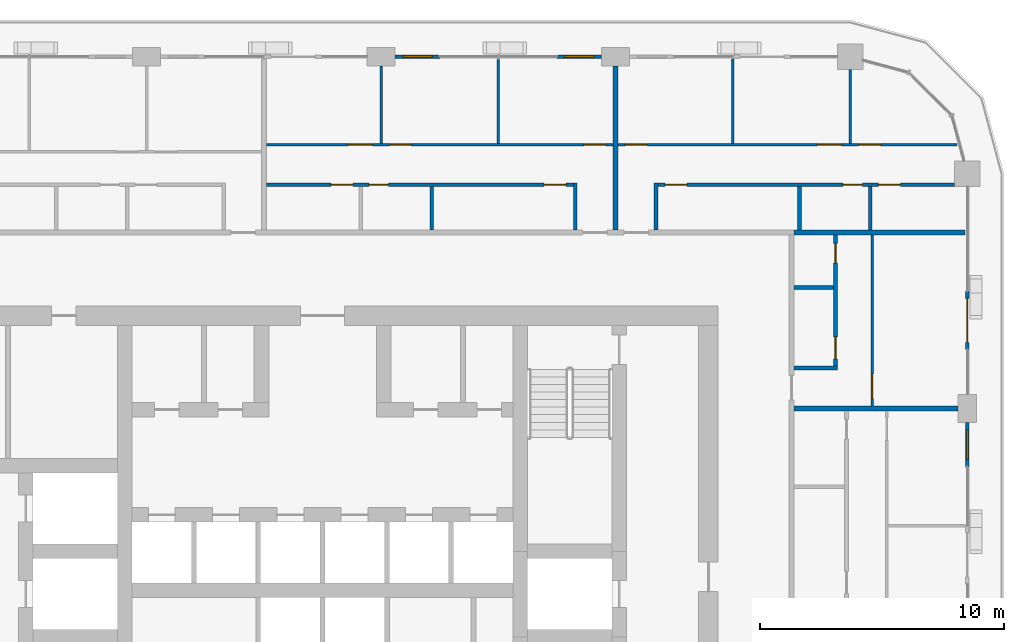
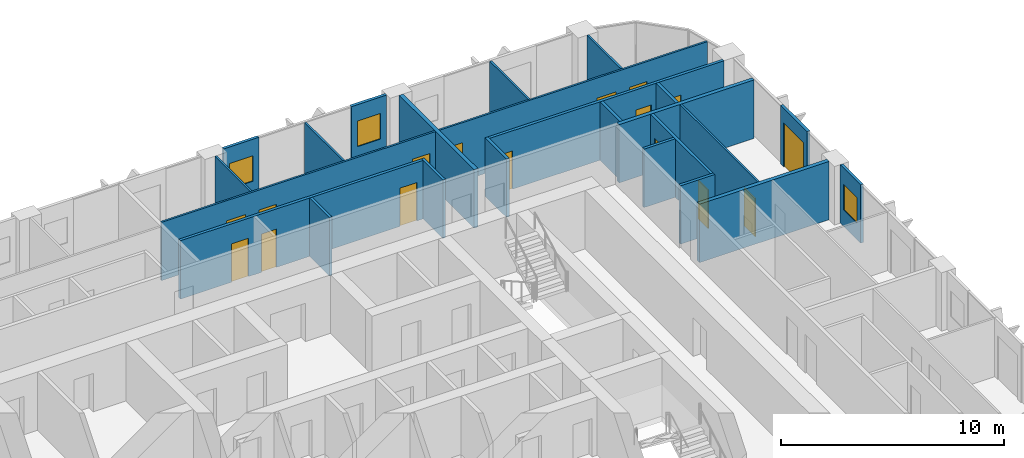
# One storey, part 15 of 22: 24 walls, 16 doors, 3 windows, 19 openings.
"""IFC4 building model written with IfcOpenShell, lengths in metres."""

from ifc_helpers import new_model, si_unit, direction, frame, frame_2d, origin, place, context, subcontext, project, spatial, rectangle, extrude, material, layer, layer_set, type_object, element, fill, save


model = new_model("IFC4")

# Units and contexts
model_context = context("Model", 3, precision=1e-05, world=origin(), true_north=direction((0.0, 1.0)))
body_context = subcontext(model_context, "Body", "Model", "MODEL_VIEW")
ifc_project = project(units=[si_unit("LENGTHUNIT", "METRE"), si_unit("AREAUNIT", "SQUARE_METRE"), si_unit("VOLUMEUNIT", "CUBIC_METRE"), si_unit("PLANEANGLEUNIT", "RADIAN"), si_unit("MASSUNIT", "GRAM", prefix="KILO")], contexts=[model_context])

# Site, building, storey
site_placement = place(None, origin())
site = spatial("IfcSite", under=ifc_project, at=site_placement, CompositionType="ELEMENT")
building_placement = place(site_placement, origin())
building = spatial("IfcBuilding", under=site, at=building_placement, Name="Madar Terraces", CompositionType="ELEMENT")
storey_placement = place(building_placement, frame((0.0, 0.0, 149.0)))
storey = spatial("IfcBuildingStorey", under=building, at=storey_placement, Name="L38", CompositionType="ELEMENT", Elevation=149.0)

# Wall, opening, window
ifc_material_1 = material(Name="Aluminium composite panel, black, over insulated backing", Category="aluminium")
ifc_layer_1 = layer(ifc_material_1, 0.14990234375)
ifc_layer_set_1 = layer_set([ifc_layer_1], Name="Facade bay panel 150")
wall_type_1 = type_object("IfcWallType", Name="Facade bay panel 150", PredefinedType="SOLIDWALL", material=ifc_layer_set_1)
wall_1_placement = place(storey_placement, frame((57.60009765625, 31.199951171875, 0.0), z_axis=(0.0, 0.0, 1.0), x_axis=(0.0, 1.0, 0.0)))
wall_1 = element("IfcWall", 1, at=wall_1_placement, inside=storey, type_object=wall_type_1, Name="Facade bay panel", PredefinedType="SOLIDWALL", context=body_context, shape_type="SweptSolid", body=[
    extrude(rectangle(XDim=1.824951171875, YDim=0.14990234375, at=frame_2d((0.91259765625, 0.0))), origin(), (0.0, 0.0, 1.0), 3.199951171875),
])
opening_1_placement = place(wall_1_placement, frame((0.3125, 0.0, 0.89990234375)))
opening_1 = element("IfcOpeningElement", 2, at=opening_1_placement, cuts=wall_1, Name="Opening W1", PredefinedType="OPENING", context=body_context, shape_type="SweptSolid", body=[
    extrude(rectangle(XDim=1.199951171875, YDim=1.39990234375, at=frame_2d((0.60009765625, 0.699951171875))), frame((0.0, 0.0849609375, 0.0), z_axis=(0.0, -1.0, 0.0), x_axis=(1.0, 0.0, 0.0)), (0.0, 0.0, 1.0), 0.169921875),
])
ifc_material_2 = material(Name="Glass, clear, with black aluminium frame", Category="aluminium")
window_type = type_object("IfcWindowType", Name="Vent window 1200 x 1400", PartitioningType="SINGLE_PANEL", PredefinedType="WINDOW", material=ifc_material_2)
window_1_placement = place(opening_1_placement, origin())
window_1 = element("IfcWindow", 3, at=window_1_placement, inside=storey, type_object=window_type, Name="Operable vent window", OverallHeight=1.39990234375, OverallWidth=1.199951171875, PartitioningType="SINGLE_PANEL", PredefinedType="WINDOW", context=body_context, shape_type="SweptSolid", body=[
    extrude(rectangle(XDim=1.199951171875, YDim=1.39990234375, at=frame_2d((0.60009765625, 0.699951171875))), frame((0.0, 0.030029296875, 0.0), z_axis=(0.0, -1.0, 0.0), x_axis=(1.0, 0.0, 0.0)), (0.0, 0.0, 1.0), 0.06005859375),
])
fill(opening_1, window_1)

# Wall, opening, door
wall_2_placement = place(storey_placement, frame((57.60009765625, 36.0, 0.0), z_axis=(0.0, 0.0, 1.0), x_axis=(0.0, 1.0, 0.0)))
wall_2 = element("IfcWall", 4, at=wall_2_placement, inside=storey, type_object=wall_type_1, Name="Facade bay panel", PredefinedType="SOLIDWALL", context=body_context, shape_type="SweptSolid", body=[
    extrude(rectangle(XDim=2.39990234375, YDim=0.14990234375, at=frame_2d((1.199951171875, 0.0))), origin(), (0.0, 0.0, 1.0), 3.199951171875),
])
opening_2_placement = place(wall_2_placement, frame((0.300048828125, 0.0, 0.0)))
opening_2 = element("IfcOpeningElement", 5, at=opening_2_placement, cuts=wall_2, Name="Opening ED1", PredefinedType="OPENING", context=body_context, shape_type="SweptSolid", body=[
    extrude(rectangle(XDim=1.800048828125, YDim=2.39990234375, at=frame_2d((0.89990234375, 1.199951171875))), frame((0.0, 0.0849609375, 0.0), z_axis=(0.0, -1.0, 0.0), x_axis=(1.0, 0.0, 0.0)), (0.0, 0.0, 1.0), 0.169921875),
])
ifc_material_3 = material(Name="Glass, clear, with black aluminium frame", Category="aluminium")
door_type_1 = type_object("IfcDoorType", Name="Balcony and terrace sliding door 1800 x 2400", OperationType="SLIDING_TO_LEFT", PredefinedType="DOOR", material=ifc_material_3)
door_1_placement = place(opening_2_placement, origin())
door_1 = element("IfcDoor", 6, at=door_1_placement, inside=storey, type_object=door_type_1, Name="Balcony door", OperationType="SLIDING_TO_LEFT", OverallHeight=2.39990234375, OverallWidth=1.800048828125, PredefinedType="DOOR", context=body_context, shape_type="SweptSolid", body=[
    extrude(rectangle(XDim=1.800048828125, YDim=2.39990234375, at=frame_2d((0.89990234375, 1.199951171875))), frame((0.0, 0.02490234375, 0.0), z_axis=(0.0, -1.0, 0.0), x_axis=(1.0, 0.0, 0.0)), (0.0, 0.0, 1.0), 0.050048828125),
])
fill(opening_2, door_1)

# Wall, opening, window
wall_3_placement = place(storey_placement, frame((42.625, 48.0, 0.0), z_axis=(0.0, 0.0, 1.0), x_axis=(-1.0, 0.0, 0.0)))
wall_3 = element("IfcWall", 7, at=wall_3_placement, inside=storey, type_object=wall_type_1, Name="Facade bay panel", PredefinedType="SOLIDWALL", context=body_context, shape_type="SweptSolid", body=[
    extrude(rectangle(XDim=1.824951171875, YDim=0.14990234375, at=frame_2d((0.91259765625, 0.0))), origin(), (0.0, 0.0, 1.0), 3.199951171875),
])
opening_3_placement = place(wall_3_placement, frame((0.3125, 0.0, 0.89990234375)))
opening_3 = element("IfcOpeningElement", 8, at=opening_3_placement, cuts=wall_3, Name="Opening W1", PredefinedType="OPENING", context=body_context, shape_type="SweptSolid", body=[
    extrude(rectangle(XDim=1.199951171875, YDim=1.39990234375, at=frame_2d((0.60009765625, 0.699951171875))), frame((0.0, 0.0849609375, 0.0), z_axis=(0.0, -1.0, 0.0), x_axis=(1.0, 0.0, 0.0)), (0.0, 0.0, 1.0), 0.169921875),
])
window_2_placement = place(opening_3_placement, origin())
window_2 = element("IfcWindow", 9, at=window_2_placement, inside=storey, type_object=window_type, Name="Operable vent window", OverallHeight=1.39990234375, OverallWidth=1.199951171875, PartitioningType="SINGLE_PANEL", PredefinedType="WINDOW", context=body_context, shape_type="SweptSolid", body=[
    extrude(rectangle(XDim=1.199951171875, YDim=1.39990234375, at=frame_2d((0.60009765625, 0.699951171875))), frame((0.0, 0.030029296875, 0.0), z_axis=(0.0, -1.0, 0.0), x_axis=(1.0, 0.0, 0.0)), (0.0, 0.0, 1.0), 0.06005859375),
])
fill(opening_3, window_2)

wall_4_placement = place(storey_placement, frame((36.0, 48.0, 0.0), z_axis=(0.0, 0.0, 1.0), x_axis=(-1.0, 0.0, 0.0)))
wall_4 = element("IfcWall", 10, at=wall_4_placement, inside=storey, type_object=wall_type_1, Name="Facade bay panel", PredefinedType="SOLIDWALL", context=body_context, shape_type="SweptSolid", body=[
    extrude(rectangle(XDim=1.824951171875, YDim=0.14990234375, at=frame_2d((0.91259765625, 0.0))), origin(), (0.0, 0.0, 1.0), 3.199951171875),
])
opening_4_placement = place(wall_4_placement, frame((0.3125, 0.0, 0.89990234375)))
opening_4 = element("IfcOpeningElement", 11, at=opening_4_placement, cuts=wall_4, Name="Opening W1", PredefinedType="OPENING", context=body_context, shape_type="SweptSolid", body=[
    extrude(rectangle(XDim=1.199951171875, YDim=1.39990234375, at=frame_2d((0.60009765625, 0.699951171875))), frame((0.0, 0.0849609375, 0.0), z_axis=(0.0, -1.0, 0.0), x_axis=(1.0, 0.0, 0.0)), (0.0, 0.0, 1.0), 0.169921875),
])
window_3_placement = place(opening_4_placement, origin())
window_3 = element("IfcWindow", 12, at=window_3_placement, inside=storey, type_object=window_type, Name="Operable vent window", OverallHeight=1.39990234375, OverallWidth=1.199951171875, PartitioningType="SINGLE_PANEL", PredefinedType="WINDOW", context=body_context, shape_type="SweptSolid", body=[
    extrude(rectangle(XDim=1.199951171875, YDim=1.39990234375, at=frame_2d((0.60009765625, 0.699951171875))), frame((0.0, 0.030029296875, 0.0), z_axis=(0.0, -1.0, 0.0), x_axis=(1.0, 0.0, 0.0)), (0.0, 0.0, 1.0), 0.06005859375),
])
fill(opening_4, window_3)

# Wall, opening, door
ifc_material_4 = material(Name="Gypsum board on steel studs", Category="steel")
ifc_layer_2 = layer(ifc_material_4, 0.10009765625)
ifc_layer_set_2 = layer_set([ifc_layer_2], Name="Flat partition 100")
wall_type_2 = type_object("IfcWallType", Name="Flat partition 100", PredefinedType="PARTITIONING", material=ifc_layer_set_2)
wall_5_placement = place(storey_placement, frame((53.699951171875, 40.699951171875, 0.0), z_axis=(0.0, 0.0, 1.0), x_axis=(0.0, -1.0, 0.0)))
wall_5 = element("IfcWall", 13, at=wall_5_placement, inside=storey, type_object=wall_type_2, Name="Flat partition 100", PredefinedType="PARTITIONING", context=body_context, shape_type="SweptSolid", body=[
    extrude(rectangle(XDim=7.0, YDim=0.10009765625, at=frame_2d((3.5, 0.0))), origin(), (0.0, 0.0, 1.0), 3.199951171875),
])
opening_5_placement = place(wall_5_placement, frame((5.699951171875, 0.0, 0.0)))
opening_5 = element("IfcOpeningElement", 14, at=opening_5_placement, cuts=wall_5, Name="Opening D3", PredefinedType="OPENING", context=body_context, shape_type="SweptSolid", body=[
    extrude(rectangle(XDim=1.0, YDim=2.10009765625, at=frame_2d((0.5, 1.050048828125))), frame((0.0, 0.06005859375, 0.0), z_axis=(0.0, -1.0, 0.0), x_axis=(1.0, 0.0, 0.0)), (0.0, 0.0, 1.0), 0.1201171875),
])
ifc_material_5 = material(Name="Timber door leaf", Category="wood")
door_type_2 = type_object("IfcDoorType", Name="Flat living room door 1000", OperationType="NOTDEFINED", PredefinedType="DOOR", material=ifc_material_5)
door_2_placement = place(opening_5_placement, origin())
door_2 = element("IfcDoor", 15, at=door_2_placement, inside=storey, type_object=door_type_2, Name="Flat living room door 1000", OperationType="SINGLE_SWING_RIGHT", OverallHeight=2.10009765625, OverallWidth=1.0, PredefinedType="DOOR", context=body_context, shape_type="SweptSolid", body=[
    extrude(rectangle(XDim=1.0, YDim=2.10009765625, at=frame_2d((0.5, 1.050048828125))), frame((0.0, 0.02490234375, 0.0), z_axis=(0.0, -1.0, 0.0), x_axis=(1.0, 0.0, 0.0)), (0.0, 0.0, 1.0), 0.050048828125),
])
fill(opening_5, door_2)

# Walls
wall_6_placement = place(storey_placement, frame((48.0, 44.449951171875, 0.0), z_axis=(0.0, 0.0, 1.0), x_axis=(0.0, 1.0, 0.0)))
element("IfcWall", 16, at=wall_6_placement, inside=storey, type_object=wall_type_2, Name="Flat partition 100", PredefinedType="PARTITIONING", context=body_context, shape_type="SweptSolid", body=[
    extrude(rectangle(XDim=3.449951171875, YDim=0.10009765625, at=frame_2d((1.72509765625, 0.0))), origin(), (0.0, 0.0, 1.0), 3.199951171875),
])
wall_7_placement = place(storey_placement, frame((52.800048828125, 44.449951171875, 0.0), z_axis=(0.0, 0.0, 1.0), x_axis=(0.0, 1.0, 0.0)))
element("IfcWall", 17, at=wall_7_placement, inside=storey, type_object=wall_type_2, Name="Flat partition 100", PredefinedType="PARTITIONING", context=body_context, shape_type="SweptSolid", body=[
    extrude(rectangle(XDim=3.025146484375, YDim=0.10009765625, at=frame_2d((1.5126953125, 0.0))), origin(), (0.0, 0.0, 1.0), 3.199951171875),
])

# Wall, openings, doors
wall_8_placement = place(storey_placement, frame((43.300048828125, 44.39990234375, 0.0), z_axis=(0.0, 0.0, 1.0), x_axis=(1.0, 0.0, 0.0)))
wall_8 = element("IfcWall", 18, at=wall_8_placement, inside=storey, type_object=wall_type_2, Name="Flat partition 100", PredefinedType="PARTITIONING", context=body_context, shape_type="SweptSolid", body=[
    extrude(rectangle(XDim=13.87841796875, YDim=0.10009765625, at=frame_2d((6.939208984375, 0.0))), origin(), (0.0, 0.0, 1.0), 3.199951171875),
])
opening_6_placement = place(wall_8_placement, frame((0.300048828125, 0.0, 0.0)))
opening_6 = element("IfcOpeningElement", 19, at=opening_6_placement, cuts=wall_8, Name="Opening D2", PredefinedType="OPENING", context=body_context, shape_type="SweptSolid", body=[
    extrude(rectangle(XDim=0.89990234375, YDim=2.10009765625, at=frame_2d((0.449951171875, 1.050048828125))), frame((0.0, 0.06005859375, 0.0), z_axis=(0.0, -1.0, 0.0), x_axis=(1.0, 0.0, 0.0)), (0.0, 0.0, 1.0), 0.1201171875),
])
opening_7_placement = place(wall_8_placement, frame((8.14990234375, 0.0, 0.0)))
opening_7 = element("IfcOpeningElement", 20, at=opening_7_placement, cuts=wall_8, Name="Opening D3", PredefinedType="OPENING", context=body_context, shape_type="SweptSolid", body=[
    extrude(rectangle(XDim=1.0, YDim=2.10009765625, at=frame_2d((0.5, 1.050048828125))), frame((0.0, 0.06005859375, 0.0), z_axis=(0.0, -1.0, 0.0), x_axis=(1.0, 0.0, 0.0)), (0.0, 0.0, 1.0), 0.1201171875),
])
opening_8_placement = place(wall_8_placement, frame((9.85009765625, 0.0, 0.0)))
opening_8 = element("IfcOpeningElement", 21, at=opening_8_placement, cuts=wall_8, Name="Opening D2", PredefinedType="OPENING", context=body_context, shape_type="SweptSolid", body=[
    extrude(rectangle(XDim=0.89990234375, YDim=2.10009765625, at=frame_2d((0.449951171875, 1.050048828125))), frame((0.0, 0.06005859375, 0.0), z_axis=(0.0, -1.0, 0.0), x_axis=(1.0, 0.0, 0.0)), (0.0, 0.0, 1.0), 0.1201171875),
])
door_3_placement = place(opening_7_placement, origin())
door_3 = element("IfcDoor", 22, at=door_3_placement, inside=storey, type_object=door_type_2, Name="Flat living room door 1000", OperationType="SINGLE_SWING_RIGHT", OverallHeight=2.10009765625, OverallWidth=1.0, PredefinedType="DOOR", context=body_context, shape_type="SweptSolid", body=[
    extrude(rectangle(XDim=1.0, YDim=2.10009765625, at=frame_2d((0.5, 1.050048828125))), frame((0.0, 0.02490234375, 0.0), z_axis=(0.0, -1.0, 0.0), x_axis=(1.0, 0.0, 0.0)), (0.0, 0.0, 1.0), 0.050048828125),
])
fill(opening_7, door_3)
ifc_material_6 = material(Name="Timber door leaf", Category="wood")
door_type_3 = type_object("IfcDoorType", Name="Flat room door 900", OperationType="NOTDEFINED", PredefinedType="DOOR", material=ifc_material_6)
door_4_placement = place(opening_6_placement, origin())
door_4 = element("IfcDoor", 23, at=door_4_placement, inside=storey, type_object=door_type_3, Name="Flat room door 900", OperationType="SINGLE_SWING_LEFT", OverallHeight=2.10009765625, OverallWidth=0.89990234375, PredefinedType="DOOR", context=body_context, shape_type="SweptSolid", body=[
    extrude(rectangle(XDim=0.89990234375, YDim=2.10009765625, at=frame_2d((0.449951171875, 1.050048828125))), frame((0.0, 0.02490234375, 0.0), z_axis=(0.0, -1.0, 0.0), x_axis=(1.0, 0.0, 0.0)), (0.0, 0.0, 1.0), 0.050048828125),
])
fill(opening_6, door_4)
door_5_placement = place(opening_8_placement, origin())
door_5 = element("IfcDoor", 24, at=door_5_placement, inside=storey, type_object=door_type_3, Name="Flat room door 900", OperationType="SINGLE_SWING_LEFT", OverallHeight=2.10009765625, OverallWidth=0.89990234375, PredefinedType="DOOR", context=body_context, shape_type="SweptSolid", body=[
    extrude(rectangle(XDim=0.89990234375, YDim=2.10009765625, at=frame_2d((0.449951171875, 1.050048828125))), frame((0.0, 0.02490234375, 0.0), z_axis=(0.0, -1.0, 0.0), x_axis=(1.0, 0.0, 0.0)), (0.0, 0.0, 1.0), 0.050048828125),
])
fill(opening_8, door_5)

# Walls
wall_9_placement = place(storey_placement, frame((38.39990234375, 44.449951171875, 0.0), z_axis=(0.0, 0.0, 1.0), x_axis=(0.0, 1.0, 0.0)))
element("IfcWall", 25, at=wall_9_placement, inside=storey, type_object=wall_type_2, Name="Flat partition 100", PredefinedType="PARTITIONING", context=body_context, shape_type="SweptSolid", body=[
    extrude(rectangle(XDim=3.449951171875, YDim=0.10009765625, at=frame_2d((1.72509765625, 0.0))), origin(), (0.0, 0.0, 1.0), 3.199951171875),
])
wall_10_placement = place(storey_placement, frame((33.60009765625, 44.449951171875, 0.0), z_axis=(0.0, 0.0, 1.0), x_axis=(0.0, 1.0, 0.0)))
element("IfcWall", 26, at=wall_10_placement, inside=storey, type_object=wall_type_2, Name="Flat partition 100", PredefinedType="PARTITIONING", context=body_context, shape_type="SweptSolid", body=[
    extrude(rectangle(XDim=3.175048828125, YDim=0.10009765625, at=frame_2d((1.58740234375, 0.0))), origin(), (0.0, 0.0, 1.0), 3.199951171875),
])

# Wall, openings, doors
wall_11_placement = place(storey_placement, frame((28.89990234375, 44.39990234375, 0.0), z_axis=(0.0, 0.0, 1.0), x_axis=(1.0, 0.0, 0.0)))
wall_11 = element("IfcWall", 27, at=wall_11_placement, inside=storey, type_object=wall_type_2, Name="Flat partition 100", PredefinedType="PARTITIONING", context=body_context, shape_type="SweptSolid", body=[
    extrude(rectangle(XDim=14.2001953125, YDim=0.10009765625, at=frame_2d((7.10009765625, 0.0))), origin(), (0.0, 0.0, 1.0), 3.199951171875),
])
opening_9_placement = place(wall_11_placement, frame((13.0, 0.0, 0.0)))
opening_9 = element("IfcOpeningElement", 28, at=opening_9_placement, cuts=wall_11, Name="Opening D2", PredefinedType="OPENING", context=body_context, shape_type="SweptSolid", body=[
    extrude(rectangle(XDim=0.89990234375, YDim=2.10009765625, at=frame_2d((0.449951171875, 1.050048828125))), frame((0.0, 0.06005859375, 0.0), z_axis=(0.0, -1.0, 0.0), x_axis=(1.0, 0.0, 0.0)), (0.0, 0.0, 1.0), 0.1201171875),
])
opening_10_placement = place(wall_11_placement, frame((5.050048828125, 0.0, 0.0)))
opening_10 = element("IfcOpeningElement", 29, at=opening_10_placement, cuts=wall_11, Name="Opening D2", PredefinedType="OPENING", context=body_context, shape_type="SweptSolid", body=[
    extrude(rectangle(XDim=0.89990234375, YDim=2.10009765625, at=frame_2d((0.449951171875, 1.050048828125))), frame((0.0, 0.06005859375, 0.0), z_axis=(0.0, -1.0, 0.0), x_axis=(1.0, 0.0, 0.0)), (0.0, 0.0, 1.0), 0.1201171875),
])
opening_11_placement = place(wall_11_placement, frame((3.35009765625, 0.0, 0.0)))
opening_11 = element("IfcOpeningElement", 30, at=opening_11_placement, cuts=wall_11, Name="Opening D3", PredefinedType="OPENING", context=body_context, shape_type="SweptSolid", body=[
    extrude(rectangle(XDim=1.0, YDim=2.10009765625, at=frame_2d((0.5, 1.050048828125))), frame((0.0, 0.06005859375, 0.0), z_axis=(0.0, -1.0, 0.0), x_axis=(1.0, 0.0, 0.0)), (0.0, 0.0, 1.0), 0.1201171875),
])
door_6_placement = place(opening_11_placement, origin())
door_6 = element("IfcDoor", 31, at=door_6_placement, inside=storey, type_object=door_type_2, Name="Flat living room door 1000", OperationType="SINGLE_SWING_RIGHT", OverallHeight=2.10009765625, OverallWidth=1.0, PredefinedType="DOOR", context=body_context, shape_type="SweptSolid", body=[
    extrude(rectangle(XDim=1.0, YDim=2.10009765625, at=frame_2d((0.5, 1.050048828125))), frame((0.0, 0.02490234375, 0.0), z_axis=(0.0, -1.0, 0.0), x_axis=(1.0, 0.0, 0.0)), (0.0, 0.0, 1.0), 0.050048828125),
])
fill(opening_11, door_6)
door_7_placement = place(opening_9_placement, origin())
door_7 = element("IfcDoor", 32, at=door_7_placement, inside=storey, type_object=door_type_3, Name="Flat room door 900", OperationType="SINGLE_SWING_RIGHT", OverallHeight=2.10009765625, OverallWidth=0.89990234375, PredefinedType="DOOR", context=body_context, shape_type="SweptSolid", body=[
    extrude(rectangle(XDim=0.89990234375, YDim=2.10009765625, at=frame_2d((0.449951171875, 1.050048828125))), frame((0.0, 0.02490234375, 0.0), z_axis=(0.0, -1.0, 0.0), x_axis=(1.0, 0.0, 0.0)), (0.0, 0.0, 1.0), 0.050048828125),
])
fill(opening_9, door_7)
door_8_placement = place(opening_10_placement, origin())
door_8 = element("IfcDoor", 33, at=door_8_placement, inside=storey, type_object=door_type_3, Name="Flat room door 900", OperationType="SINGLE_SWING_LEFT", OverallHeight=2.10009765625, OverallWidth=0.89990234375, PredefinedType="DOOR", context=body_context, shape_type="SweptSolid", body=[
    extrude(rectangle(XDim=0.89990234375, YDim=2.10009765625, at=frame_2d((0.449951171875, 1.050048828125))), frame((0.0, 0.02490234375, 0.0), z_axis=(0.0, -1.0, 0.0), x_axis=(1.0, 0.0, 0.0)), (0.0, 0.0, 1.0), 0.050048828125),
])
fill(opening_10, door_8)

# Walls
ifc_material_7 = material(Name="Lightweight blockwork", Category="masonry")
ifc_layer_3 = layer(ifc_material_7, 0.199951171875)
ifc_layer_set_3 = layer_set([ifc_layer_3], Name="Flat party and entrance wall 200")
wall_type_3 = type_object("IfcWallType", Name="Flat party and entrance wall 200", PredefinedType="PARTITIONING", material=ifc_layer_set_3)
wall_12_placement = place(storey_placement, frame((50.5, 33.60009765625, 0.0), z_axis=(0.0, 0.0, 1.0), x_axis=(1.0, 0.0, 0.0)))
element("IfcWall", 34, at=wall_12_placement, inside=storey, type_object=wall_type_3, Name="Flat party and entrance wall 200", PredefinedType="PARTITIONING", context=body_context, shape_type="SweptSolid", body=[
    extrude(rectangle(XDim=6.72509765625, YDim=0.199951171875, at=frame_2d((3.362548828125, 0.0))), origin(), (0.0, 0.0, 1.0), 3.199951171875),
])
wall_13_placement = place(storey_placement, frame((50.5, 40.800048828125, 0.0), z_axis=(0.0, 0.0, 1.0), x_axis=(1.0, 0.0, 0.0)))
element("IfcWall", 35, at=wall_13_placement, inside=storey, type_object=wall_type_3, Name="Flat party and entrance wall 200", PredefinedType="PARTITIONING", context=body_context, shape_type="SweptSolid", body=[
    extrude(rectangle(XDim=7.0, YDim=0.199951171875, at=frame_2d((3.5, 0.0))), origin(), (0.0, 0.0, 1.0), 3.199951171875),
])
wall_14_placement = place(storey_placement, frame((43.199951171875, 47.625, 0.0), z_axis=(0.0, 0.0, 1.0), x_axis=(0.0, -1.0, 0.0)))
element("IfcWall", 36, at=wall_14_placement, inside=storey, type_object=wall_type_3, Name="Flat party and entrance wall 200", PredefinedType="PARTITIONING", context=body_context, shape_type="SweptSolid", body=[
    extrude(rectangle(XDim=6.72509765625, YDim=0.199951171875, at=frame_2d((3.362548828125, 0.0))), origin(), (0.0, 0.0, 1.0), 3.199951171875),
])
ifc_material_8 = material(Name="Lightweight blockwork", Category="masonry")
ifc_layer_4 = layer(ifc_material_8, 0.14990234375)
ifc_layer_set_4 = layer_set([ifc_layer_4], Name="Flat wet-room partition 150")
wall_type_4 = type_object("IfcWallType", Name="Flat wet-room partition 150", PredefinedType="PARTITIONING", material=ifc_layer_set_4)
wall_15_placement = place(storey_placement, frame((50.5, 38.550048828125, 0.0), z_axis=(0.0, 0.0, 1.0), x_axis=(1.0, 0.0, 0.0)))
element("IfcWall", 37, at=wall_15_placement, inside=storey, type_object=wall_type_4, Name="Flat wet-room partition 150", PredefinedType="PARTITIONING", context=body_context, shape_type="SweptSolid", body=[
    extrude(rectangle(XDim=1.625, YDim=0.14990234375, at=frame_2d((0.8125, 0.0))), origin(), (0.0, 0.0, 1.0), 3.199951171875),
])
wall_16_placement = place(storey_placement, frame((50.5, 35.25, 0.0), z_axis=(0.0, 0.0, 1.0), x_axis=(1.0, 0.0, 0.0)))
element("IfcWall", 38, at=wall_16_placement, inside=storey, type_object=wall_type_4, Name="Flat wet-room partition 150", PredefinedType="PARTITIONING", context=body_context, shape_type="SweptSolid", body=[
    extrude(rectangle(XDim=1.77490234375, YDim=0.14990234375, at=frame_2d((0.887451171875, 0.0))), origin(), (0.0, 0.0, 1.0), 3.199951171875),
])

# Wall, openings, doors
wall_17_placement = place(storey_placement, frame((52.199951171875, 35.324951171875, 0.0), z_axis=(0.0, 0.0, 1.0), x_axis=(0.0, 1.0, 0.0)))
wall_17 = element("IfcWall", 39, at=wall_17_placement, inside=storey, type_object=wall_type_4, Name="Flat wet-room partition 150", PredefinedType="PARTITIONING", context=body_context, shape_type="SweptSolid", body=[
    extrude(rectangle(XDim=5.375, YDim=0.14990234375, at=frame_2d((2.6875, 0.0))), origin(), (0.0, 0.0, 1.0), 3.199951171875),
])
opening_12_placement = place(wall_17_placement, frame((0.300048828125, 0.0, 0.0)))
opening_12 = element("IfcOpeningElement", 40, at=opening_12_placement, cuts=wall_17, Name="Opening D2", PredefinedType="OPENING", context=body_context, shape_type="SweptSolid", body=[
    extrude(rectangle(XDim=0.89990234375, YDim=2.10009765625, at=frame_2d((0.449951171875, 1.050048828125))), frame((0.0, 0.0849609375, 0.0), z_axis=(0.0, -1.0, 0.0), x_axis=(1.0, 0.0, 0.0)), (0.0, 0.0, 1.0), 0.169921875),
])
opening_13_placement = place(wall_17_placement, frame((4.22509765625, 0.0, 0.0)))
opening_13 = element("IfcOpeningElement", 41, at=opening_13_placement, cuts=wall_17, Name="Opening D4", PredefinedType="OPENING", context=body_context, shape_type="SweptSolid", body=[
    extrude(rectangle(XDim=0.800048828125, YDim=2.10009765625, at=frame_2d((0.39990234375, 1.050048828125))), frame((0.0, 0.0849609375, 0.0), z_axis=(0.0, -1.0, 0.0), x_axis=(1.0, 0.0, 0.0)), (0.0, 0.0, 1.0), 0.169921875),
])
ifc_material_9 = material(Name="Timber door leaf", Category="wood")
door_type_4 = type_object("IfcDoorType", Name="Flat bathroom door 800", OperationType="NOTDEFINED", PredefinedType="DOOR", material=ifc_material_9)
door_9_placement = place(opening_13_placement, origin())
door_9 = element("IfcDoor", 42, at=door_9_placement, inside=storey, type_object=door_type_4, Name="Flat bathroom door 800", OperationType="SINGLE_SWING_RIGHT", OverallHeight=2.10009765625, OverallWidth=0.800048828125, PredefinedType="DOOR", context=body_context, shape_type="SweptSolid", body=[
    extrude(rectangle(XDim=0.800048828125, YDim=2.10009765625, at=frame_2d((0.39990234375, 1.050048828125))), frame((0.0, 0.02490234375, 0.0), z_axis=(0.0, -1.0, 0.0), x_axis=(1.0, 0.0, 0.0)), (0.0, 0.0, 1.0), 0.050048828125),
])
fill(opening_13, door_9)
door_10_placement = place(opening_12_placement, origin())
door_10 = element("IfcDoor", 43, at=door_10_placement, inside=storey, type_object=door_type_3, Name="Flat room door 900", OperationType="SINGLE_SWING_LEFT", OverallHeight=2.10009765625, OverallWidth=0.89990234375, PredefinedType="DOOR", context=body_context, shape_type="SweptSolid", body=[
    extrude(rectangle(XDim=0.89990234375, YDim=2.10009765625, at=frame_2d((0.449951171875, 1.050048828125))), frame((0.0, 0.02490234375, 0.0), z_axis=(0.0, -1.0, 0.0), x_axis=(1.0, 0.0, 0.0)), (0.0, 0.0, 1.0), 0.050048828125),
])
fill(opening_12, door_10)

# Walls
for number, where, z_axis, x_axis, name in (
    (44, (50.728759765625, 40.89990234375, 0.0), (0.0, 0.0, 1.0), (0.0, 1.0, 0.0), "Flat wet-room partition 150"),
    (45, (53.630615234375, 40.89990234375, 0.0), (0.0, 0.0, 1.0), (0.0, 1.0, 0.0), "Flat wet-room partition 150"),
):
    element("IfcWall", number, at=place(storey_placement, frame(where, z_axis=z_axis, x_axis=x_axis)), inside=storey, type_object=wall_type_4, Name=name, PredefinedType="PARTITIONING", context=body_context, shape_type="SweptSolid", body=[
        extrude(rectangle(XDim=1.775146484375, YDim=0.14990234375, at=frame_2d((0.8876953125, 0.0))), origin(), (0.0, 0.0, 1.0), 3.199951171875),
    ])
wall_18_placement = place(storey_placement, frame((44.85009765625, 40.89990234375, 0.0), z_axis=(0.0, 0.0, 1.0), x_axis=(0.0, 1.0, 0.0)))
element("IfcWall", 46, at=wall_18_placement, inside=storey, type_object=wall_type_4, Name="Flat wet-room partition 150", PredefinedType="PARTITIONING", context=body_context, shape_type="SweptSolid", body=[
    extrude(rectangle(XDim=1.925048828125, YDim=0.14990234375, at=frame_2d((0.96240234375, 0.0))), origin(), (0.0, 0.0, 1.0), 3.199951171875),
])

# Wall, openings, doors
wall_19_placement = place(storey_placement, frame((57.074951171875, 42.75, 0.0), z_axis=(0.0, 0.0, 1.0), x_axis=(-1.0, 0.0, 0.0)))
wall_19 = element("IfcWall", 47, at=wall_19_placement, inside=storey, type_object=wall_type_4, Name="Flat wet-room partition 150", PredefinedType="PARTITIONING", context=body_context, shape_type="SweptSolid", body=[
    extrude(rectangle(XDim=12.14990234375, YDim=0.14990234375, at=frame_2d((6.074951171875, 0.0))), origin(), (0.0, 0.0, 1.0), 3.199951171875),
])
opening_14_placement = place(wall_19_placement, frame((10.949951171875, 0.0, 0.0)))
opening_14 = element("IfcOpeningElement", 48, at=opening_14_placement, cuts=wall_19, Name="Opening D2", PredefinedType="OPENING", context=body_context, shape_type="SweptSolid", body=[
    extrude(rectangle(XDim=0.89990234375, YDim=2.10009765625, at=frame_2d((0.449951171875, 1.050048828125))), frame((0.0, 0.0849609375, 0.0), z_axis=(0.0, -1.0, 0.0), x_axis=(1.0, 0.0, 0.0)), (0.0, 0.0, 1.0), 0.169921875),
])
opening_15_placement = place(wall_19_placement, frame((3.769287109375, 0.0, 0.0)))
opening_15 = element("IfcOpeningElement", 49, at=opening_15_placement, cuts=wall_19, Name="Opening D4", PredefinedType="OPENING", context=body_context, shape_type="SweptSolid", body=[
    extrude(rectangle(XDim=0.800048828125, YDim=2.10009765625, at=frame_2d((0.39990234375, 1.050048828125))), frame((0.0, 0.0849609375, 0.0), z_axis=(0.0, -1.0, 0.0), x_axis=(1.0, 0.0, 0.0)), (0.0, 0.0, 1.0), 0.169921875),
])
opening_16_placement = place(wall_19_placement, frame((2.21923828125, 0.0, 0.0)))
opening_16 = element("IfcOpeningElement", 50, at=opening_16_placement, cuts=wall_19, Name="Opening D5", PredefinedType="OPENING", context=body_context, shape_type="SweptSolid", body=[
    extrude(rectangle(XDim=0.89990234375, YDim=2.10009765625, at=frame_2d((0.449951171875, 1.050048828125))), frame((0.0, 0.0849609375, 0.0), z_axis=(0.0, -1.0, 0.0), x_axis=(1.0, 0.0, 0.0)), (0.0, 0.0, 1.0), 0.169921875),
])
ifc_material_10 = material(Name="Timber door leaf", Category="wood")
door_type_5 = type_object("IfcDoorType", Name="Flat accessible bathroom door 900", OperationType="NOTDEFINED", PredefinedType="DOOR", material=ifc_material_10)
door_11_placement = place(opening_16_placement, origin())
door_11 = element("IfcDoor", 51, at=door_11_placement, inside=storey, type_object=door_type_5, Name="Flat accessible bathroom door 900", OperationType="SINGLE_SWING_RIGHT", OverallHeight=2.10009765625, OverallWidth=0.89990234375, PredefinedType="DOOR", context=body_context, shape_type="SweptSolid", body=[
    extrude(rectangle(XDim=0.89990234375, YDim=2.10009765625, at=frame_2d((0.449951171875, 1.050048828125))), frame((0.0, 0.02490234375, 0.0), z_axis=(0.0, -1.0, 0.0), x_axis=(1.0, 0.0, 0.0)), (0.0, 0.0, 1.0), 0.050048828125),
])
fill(opening_16, door_11)
door_12_placement = place(opening_15_placement, origin())
door_12 = element("IfcDoor", 52, at=door_12_placement, inside=storey, type_object=door_type_4, Name="Flat bathroom door 800", OperationType="SINGLE_SWING_LEFT", OverallHeight=2.10009765625, OverallWidth=0.800048828125, PredefinedType="DOOR", context=body_context, shape_type="SweptSolid", body=[
    extrude(rectangle(XDim=0.800048828125, YDim=2.10009765625, at=frame_2d((0.39990234375, 1.050048828125))), frame((0.0, 0.02490234375, 0.0), z_axis=(0.0, -1.0, 0.0), x_axis=(1.0, 0.0, 0.0)), (0.0, 0.0, 1.0), 0.050048828125),
])
fill(opening_15, door_12)
door_13_placement = place(opening_14_placement, origin())
door_13 = element("IfcDoor", 53, at=door_13_placement, inside=storey, type_object=door_type_3, Name="Flat room door 900", OperationType="SINGLE_SWING_RIGHT", OverallHeight=2.10009765625, OverallWidth=0.89990234375, PredefinedType="DOOR", context=body_context, shape_type="SweptSolid", body=[
    extrude(rectangle(XDim=0.89990234375, YDim=2.10009765625, at=frame_2d((0.449951171875, 1.050048828125))), frame((0.0, 0.02490234375, 0.0), z_axis=(0.0, -1.0, 0.0), x_axis=(1.0, 0.0, 0.0)), (0.0, 0.0, 1.0), 0.050048828125),
])
fill(opening_14, door_13)

# Walls
wall_20_placement = place(storey_placement, frame((35.671142578125, 40.89990234375, 0.0), z_axis=(0.0, 0.0, 1.0), x_axis=(0.0, 1.0, 0.0)))
element("IfcWall", 54, at=wall_20_placement, inside=storey, type_object=wall_type_4, Name="Flat wet-room partition 150", PredefinedType="PARTITIONING", context=body_context, shape_type="SweptSolid", body=[
    extrude(rectangle(XDim=1.775146484375, YDim=0.14990234375, at=frame_2d((0.8876953125, 0.0))), origin(), (0.0, 0.0, 1.0), 3.199951171875),
])
wall_21_placement = place(storey_placement, frame((41.550048828125, 40.89990234375, 0.0), z_axis=(0.0, 0.0, 1.0), x_axis=(0.0, 1.0, 0.0)))
element("IfcWall", 55, at=wall_21_placement, inside=storey, type_object=wall_type_4, Name="Flat wet-room partition 150", PredefinedType="PARTITIONING", context=body_context, shape_type="SweptSolid", body=[
    extrude(rectangle(XDim=1.925048828125, YDim=0.14990234375, at=frame_2d((0.96240234375, 0.0))), origin(), (0.0, 0.0, 1.0), 3.199951171875),
])

# Wall, openings, doors
wall_22_placement = place(storey_placement, frame((41.47509765625, 42.75, 0.0), z_axis=(0.0, 0.0, 1.0), x_axis=(-1.0, 0.0, 0.0)))
wall_22 = element("IfcWall", 56, at=wall_22_placement, inside=storey, type_object=wall_type_4, Name="Flat wet-room partition 150", PredefinedType="PARTITIONING", context=body_context, shape_type="SweptSolid", body=[
    extrude(rectangle(XDim=12.5751953125, YDim=0.14990234375, at=frame_2d((6.28759765625, 0.0))), origin(), (0.0, 0.0, 1.0), 3.199951171875),
])
opening_17_placement = place(wall_22_placement, frame((0.300048828125, 0.0, 0.0)))
opening_17 = element("IfcOpeningElement", 57, at=opening_17_placement, cuts=wall_22, Name="Opening D2", PredefinedType="OPENING", context=body_context, shape_type="SweptSolid", body=[
    extrude(rectangle(XDim=0.89990234375, YDim=2.10009765625, at=frame_2d((0.449951171875, 1.050048828125))), frame((0.0, 0.0849609375, 0.0), z_axis=(0.0, -1.0, 0.0), x_axis=(1.0, 0.0, 0.0)), (0.0, 0.0, 1.0), 0.169921875),
])
opening_18_placement = place(wall_22_placement, frame((7.580810546875, 0.0, 0.0)))
opening_18 = element("IfcOpeningElement", 58, at=opening_18_placement, cuts=wall_22, Name="Opening D4", PredefinedType="OPENING", context=body_context, shape_type="SweptSolid", body=[
    extrude(rectangle(XDim=0.800048828125, YDim=2.10009765625, at=frame_2d((0.39990234375, 1.050048828125))), frame((0.0, 0.0849609375, 0.0), z_axis=(0.0, -1.0, 0.0), x_axis=(1.0, 0.0, 0.0)), (0.0, 0.0, 1.0), 0.169921875),
])
opening_19_placement = place(wall_22_placement, frame((9.03076171875, 0.0, 0.0)))
opening_19 = element("IfcOpeningElement", 59, at=opening_19_placement, cuts=wall_22, Name="Opening D5", PredefinedType="OPENING", context=body_context, shape_type="SweptSolid", body=[
    extrude(rectangle(XDim=0.89990234375, YDim=2.10009765625, at=frame_2d((0.449951171875, 1.050048828125))), frame((0.0, 0.0849609375, 0.0), z_axis=(0.0, -1.0, 0.0), x_axis=(1.0, 0.0, 0.0)), (0.0, 0.0, 1.0), 0.169921875),
])
door_14_placement = place(opening_19_placement, origin())
door_14 = element("IfcDoor", 60, at=door_14_placement, inside=storey, type_object=door_type_5, Name="Flat accessible bathroom door 900", OperationType="SINGLE_SWING_LEFT", OverallHeight=2.10009765625, OverallWidth=0.89990234375, PredefinedType="DOOR", context=body_context, shape_type="SweptSolid", body=[
    extrude(rectangle(XDim=0.89990234375, YDim=2.10009765625, at=frame_2d((0.449951171875, 1.050048828125))), frame((0.0, 0.02490234375, 0.0), z_axis=(0.0, -1.0, 0.0), x_axis=(1.0, 0.0, 0.0)), (0.0, 0.0, 1.0), 0.050048828125),
])
fill(opening_19, door_14)
door_15_placement = place(opening_18_placement, origin())
door_15 = element("IfcDoor", 61, at=door_15_placement, inside=storey, type_object=door_type_4, Name="Flat bathroom door 800", OperationType="SINGLE_SWING_RIGHT", OverallHeight=2.10009765625, OverallWidth=0.800048828125, PredefinedType="DOOR", context=body_context, shape_type="SweptSolid", body=[
    extrude(rectangle(XDim=0.800048828125, YDim=2.10009765625, at=frame_2d((0.39990234375, 1.050048828125))), frame((0.0, 0.02490234375, 0.0), z_axis=(0.0, -1.0, 0.0), x_axis=(1.0, 0.0, 0.0)), (0.0, 0.0, 1.0), 0.050048828125),
])
fill(opening_18, door_15)
door_16_placement = place(opening_17_placement, origin())
door_16 = element("IfcDoor", 62, at=door_16_placement, inside=storey, type_object=door_type_3, Name="Flat room door 900", OperationType="SINGLE_SWING_LEFT", OverallHeight=2.10009765625, OverallWidth=0.89990234375, PredefinedType="DOOR", context=body_context, shape_type="SweptSolid", body=[
    extrude(rectangle(XDim=0.89990234375, YDim=2.10009765625, at=frame_2d((0.449951171875, 1.050048828125))), frame((0.0, 0.02490234375, 0.0), z_axis=(0.0, -1.0, 0.0), x_axis=(1.0, 0.0, 0.0)), (0.0, 0.0, 1.0), 0.050048828125),
])
fill(opening_17, door_16)

save(model, "model.ifc")
